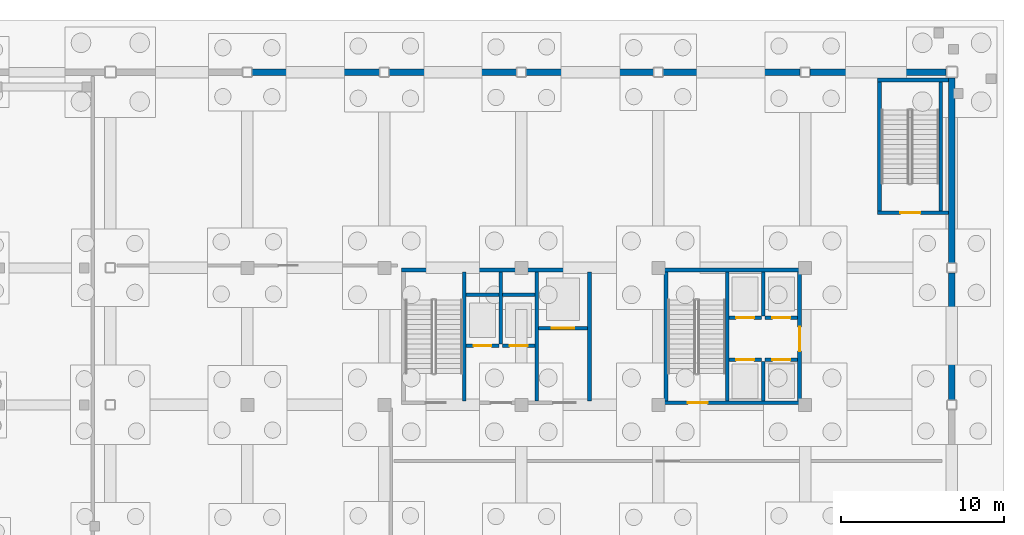
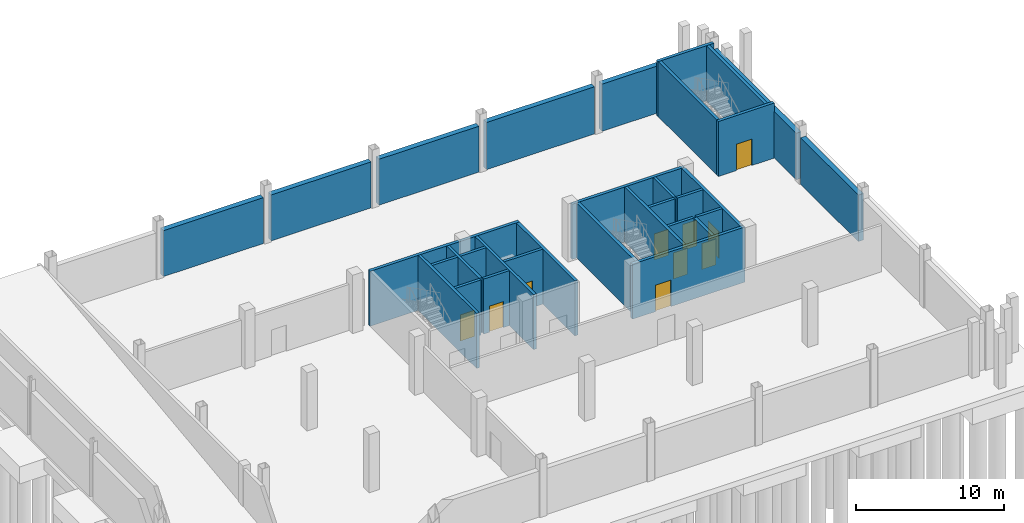
# One storey, part 34 of 44: 32 walls, 10 doors, 10 openings.
"""IFC4 building model written with IfcOpenShell, lengths in metres."""

from ifc_helpers import new_model, si_unit, direction, frame, frame_2d, origin, place, context, subcontext, project, spatial, rectangle, extrude, material, layer, layer_set, type_object, element, fill, save


model = new_model("IFC4")

# Units and contexts
model_context = context("Model", 3, precision=1e-05, world=origin(), true_north=direction((0.0, 1.0)))
body_context = subcontext(model_context, "Body", "Model", "MODEL_VIEW")
ifc_project = project(units=[si_unit("LENGTHUNIT", "METRE"), si_unit("AREAUNIT", "SQUARE_METRE"), si_unit("VOLUMEUNIT", "CUBIC_METRE"), si_unit("PLANEANGLEUNIT", "RADIAN"), si_unit("MASSUNIT", "GRAM", prefix="KILO")], contexts=[model_context])

# Site, building, storey
site_placement = place(None, origin())
site = spatial("IfcSite", under=ifc_project, at=site_placement, CompositionType="ELEMENT")
building_placement = place(site_placement, origin())
building = spatial("IfcBuilding", under=site, at=building_placement, Name="Yukiwa Park Conservatory and Herbarium", CompositionType="ELEMENT")
storey_placement = place(building_placement, frame((0.0, 0.0, -4.800048828125)))
storey = spatial("IfcBuildingStorey", under=building, at=storey_placement, Name="B1", CompositionType="ELEMENT", Elevation=-4.800048828125)

# Walls
ifc_material_1 = material(Name="Concrete C40", Category="concrete")
ifc_layer_1 = layer(ifc_material_1, 0.39990234375)
ifc_layer_set_1 = layer_set([ifc_layer_1], Name="Concrete C40")
wall_type_1 = type_object("IfcWallType", Name="WL-B1-RET400", PredefinedType="SOLIDWALL", material=ifc_layer_set_1)
wall_1_placement = place(storey_placement, frame((168.0, 95.10009765625, 0.0), z_axis=(0.0, 0.0, 1.0), x_axis=(0.0, 1.0, 0.0)))
element("IfcWall", 1, at=wall_1_placement, inside=storey, type_object=wall_type_1, Name="B1 exterior envelope wall 34", PredefinedType="SOLIDWALL", context=body_context, shape_type="SweptSolid", body=[
    extrude(rectangle(XDim=7.7998046875, YDim=0.39990234375, at=frame_2d((3.89990234375, 0.0))), origin(), (0.0, 0.0, 1.0), 3.840087890625),
])
wall_2_placement = place(storey_placement, frame((168.0, 103.5, 0.0), z_axis=(0.0, 0.0, 1.0), x_axis=(0.0, 1.0, 0.0)))
element("IfcWall", 2, at=wall_2_placement, inside=storey, type_object=wall_type_1, Name="B1 exterior envelope wall 35", PredefinedType="SOLIDWALL", context=body_context, shape_type="SweptSolid", body=[
    extrude(rectangle(XDim=11.35009765625, YDim=0.39990234375, at=frame_2d((5.675048828125, 0.0))), origin(), (0.0, 0.0, 1.0), 3.840087890625),
])
wall_3_placement = place(storey_placement, frame((167.64990234375, 115.199951171875, 0.0), z_axis=(0.0, 0.0, 1.0), x_axis=(-1.0, 0.0, 0.0)))
element("IfcWall", 3, at=wall_3_placement, inside=storey, type_object=wall_type_1, Name="B1 exterior envelope wall 36", PredefinedType="SOLIDWALL", context=body_context, shape_type="SweptSolid", body=[
    extrude(rectangle(XDim=8.349853515625, YDim=0.39990234375, at=frame_2d((4.1748046875, 0.0))), origin(), (0.0, 0.0, 1.0), 3.89013671875),
])
wall_4_placement = place(storey_placement, frame((158.699951171875, 115.199951171875, 0.0), z_axis=(0.0, 0.0, 1.0), x_axis=(-1.0, 0.0, 0.0)))
element("IfcWall", 4, at=wall_4_placement, inside=storey, type_object=wall_type_1, Name="B1 exterior envelope wall 37", PredefinedType="SOLIDWALL", context=body_context, shape_type="SweptSolid", body=[
    extrude(rectangle(XDim=8.39990234375, YDim=0.39990234375, at=frame_2d((4.199951171875, 0.0))), origin(), (0.0, 0.0, 1.0), 3.89013671875),
])
for number, where, z_axis, x_axis, name in (
    (5, (149.699951171875, 115.199951171875, 0.0), (0.0, 0.0, 1.0), (-1.0, 0.0, 0.0), "B1 exterior envelope wall 38"),
    (6, (141.300048828125, 115.199951171875, 0.0), (0.0, 0.0, 1.0), (-1.0, 0.0, 0.0), "B1 exterior envelope wall 39"),
):
    element("IfcWall", number, at=place(storey_placement, frame(where, z_axis=z_axis, x_axis=x_axis)), inside=storey, type_object=wall_type_1, Name=name, PredefinedType="SOLIDWALL", context=body_context, shape_type="SweptSolid", body=[
        extrude(rectangle(XDim=7.800048828125, YDim=0.39990234375, at=frame_2d((3.89990234375, 0.0))), origin(), (0.0, 0.0, 1.0), 3.7900390625),
    ])
wall_5_placement = place(storey_placement, frame((132.89990234375, 115.199951171875, 0.0), z_axis=(0.0, 0.0, 1.0), x_axis=(-1.0, 0.0, 0.0)))
element("IfcWall", 7, at=wall_5_placement, inside=storey, type_object=wall_type_1, Name="B1 exterior envelope wall 40", PredefinedType="SOLIDWALL", context=body_context, shape_type="SweptSolid", body=[
    extrude(rectangle(XDim=7.7998046875, YDim=0.39990234375, at=frame_2d((3.89990234375, 0.0))), origin(), (0.0, 0.0, 1.0), 3.7900390625),
])
ifc_material_2 = material(Name="Concrete C40", Category="concrete")
ifc_layer_2 = layer(ifc_material_2, 0.219970703125)
ifc_layer_set_2 = layer_set([ifc_layer_2], Name="Concrete C40")
wall_type_2 = type_object("IfcWallType", Name="WL-CORE-RC220", PredefinedType="SHEAR", material=ifc_layer_set_2)
wall_6_placement = place(storey_placement, frame((138.110107421875, 95.050048828125, 0.0), z_axis=(0.0, 0.0, 1.0), x_axis=(0.0, 1.0, 0.0)))
element("IfcWall", 8, at=wall_6_placement, inside=storey, type_object=wall_type_2, Name="B1 core shear wall 4", PredefinedType="SHEAR", context=body_context, shape_type="SweptSolid", body=[
    extrude(rectangle(XDim=7.89990234375, YDim=0.219970703125, at=frame_2d((3.949951171875, 0.0))), origin(), (0.0, 0.0, 1.0), 4.5400390625),
])
wall_7_placement = place(storey_placement, frame((140.330078125, 98.5400390625, 0.0), z_axis=(0.0, 0.0, 1.0), x_axis=(0.0, 1.0, 0.0)))
element("IfcWall", 9, at=wall_7_placement, inside=storey, type_object=wall_type_2, Name="B1 core shear wall 5", PredefinedType="SHEAR", context=body_context, shape_type="SweptSolid", body=[
    extrude(rectangle(XDim=4.409912109375, YDim=0.219970703125, at=frame_2d((2.205078125, 0.0))), origin(), (0.0, 0.0, 1.0), 4.5400390625),
])
wall_8_placement = place(storey_placement, frame((142.550048828125, 95.050048828125, 0.0), z_axis=(0.0, 0.0, 1.0), x_axis=(0.0, 1.0, 0.0)))
element("IfcWall", 10, at=wall_8_placement, inside=storey, type_object=wall_type_2, Name="B1 core shear wall 6", PredefinedType="SHEAR", context=body_context, shape_type="SweptSolid", body=[
    extrude(rectangle(XDim=7.89990234375, YDim=0.219970703125, at=frame_2d((3.949951171875, 0.0))), origin(), (0.0, 0.0, 1.0), 4.5400390625),
])

# Wall, opening, door
wall_9_placement = place(storey_placement, frame((138.219970703125, 98.429931640625, 0.0), z_axis=(0.0, 0.0, 1.0), x_axis=(1.0, 0.0, 0.0)))
wall_9 = element("IfcWall", 11, at=wall_9_placement, inside=storey, type_object=wall_type_2, Name="B1 core shear wall 8", PredefinedType="SHEAR", context=body_context, shape_type="SweptSolid", body=[
    extrude(rectangle(XDim=2.0, YDim=0.219970703125, at=frame_2d((1.0, 0.0))), origin(), (0.0, 0.0, 1.0), 4.5400390625),
])
opening_1_placement = place(wall_9_placement, frame((0.449951171875, 0.0, 0.0)))
opening_1 = element("IfcOpeningElement", 12, at=opening_1_placement, cuts=wall_9, Name="Opening LD-01", PredefinedType="OPENING", context=body_context, shape_type="SweptSolid", body=[
    extrude(rectangle(XDim=1.10009765625, YDim=2.14990234375, at=frame_2d((0.550048828125, 1.074951171875))), frame((0.0, 0.1201171875, 0.0), z_axis=(0.0, -1.0, 0.0), x_axis=(1.0, 0.0, 0.0)), (0.0, 0.0, 1.0), 0.239990234375),
])
ifc_material_3 = material(Name="Steel Q235B", Category="steel")
door_type_1 = type_object("IfcDoorType", Name="DR-LIFT-LD1100", OperationType="SLIDING_TO_LEFT", PredefinedType="DOOR", material=ifc_material_3)
door_1_placement = place(opening_1_placement, origin())
door_1 = element("IfcDoor", 13, at=door_1_placement, inside=storey, type_object=door_type_1, Name="B1 Firefighting Lift FL1 sliding landing door", OperationType="SLIDING_TO_LEFT", OverallHeight=2.14990234375, OverallWidth=1.10009765625, PredefinedType="DOOR", context=body_context, shape_type="SweptSolid", body=[
    extrude(rectangle(XDim=1.10009765625, YDim=2.14990234375, at=frame_2d((0.550048828125, 1.074951171875))), frame((0.0, 0.02490234375, 0.0), z_axis=(0.0, -1.0, 0.0), x_axis=(1.0, 0.0, 0.0)), (0.0, 0.0, 1.0), 0.050048828125),
])
fill(opening_1, door_1)

wall_10_placement = place(storey_placement, frame((140.43994140625, 98.429931640625, 0.0), z_axis=(0.0, 0.0, 1.0), x_axis=(1.0, 0.0, 0.0)))
wall_10 = element("IfcWall", 14, at=wall_10_placement, inside=storey, type_object=wall_type_2, Name="B1 core shear wall 9", PredefinedType="SHEAR", context=body_context, shape_type="SweptSolid", body=[
    extrude(rectangle(XDim=2.0, YDim=0.219970703125, at=frame_2d((1.0, 0.0))), origin(), (0.0, 0.0, 1.0), 4.5400390625),
])
opening_2_placement = place(wall_10_placement, frame((0.449951171875, 0.0, 0.0)))
opening_2 = element("IfcOpeningElement", 15, at=opening_2_placement, cuts=wall_10, Name="Opening LD-01", PredefinedType="OPENING", context=body_context, shape_type="SweptSolid", body=[
    extrude(rectangle(XDim=1.10009765625, YDim=2.14990234375, at=frame_2d((0.550048828125, 1.074951171875))), frame((0.0, 0.1201171875, 0.0), z_axis=(0.0, -1.0, 0.0), x_axis=(1.0, 0.0, 0.0)), (0.0, 0.0, 1.0), 0.239990234375),
])
door_2_placement = place(opening_2_placement, origin())
door_2 = element("IfcDoor", 16, at=door_2_placement, inside=storey, type_object=door_type_1, Name="B1 Firefighting Lift FL2 sliding landing door", OperationType="SLIDING_TO_LEFT", OverallHeight=2.14990234375, OverallWidth=1.10009765625, PredefinedType="DOOR", context=body_context, shape_type="SweptSolid", body=[
    extrude(rectangle(XDim=1.10009765625, YDim=2.14990234375, at=frame_2d((0.550048828125, 1.074951171875))), frame((0.0, 0.02490234375, 0.0), z_axis=(0.0, -1.0, 0.0), x_axis=(1.0, 0.0, 0.0)), (0.0, 0.0, 1.0), 0.050048828125),
])
fill(opening_2, door_2)

# Walls
for number, where, z_axis, x_axis, name in (
    (17, (138.219970703125, 101.550048828125, 0.0), (0.0, 0.0, 1.0), (1.0, 0.0, 0.0), "B1 core shear wall 10"),
    (18, (140.43994140625, 101.550048828125, 0.0), (0.0, 0.0, 1.0), (1.0, 0.0, 0.0), "B1 core shear wall 11"),
):
    element("IfcWall", number, at=place(storey_placement, frame(where, z_axis=z_axis, x_axis=x_axis)), inside=storey, type_object=wall_type_2, Name=name, PredefinedType="SHEAR", context=body_context, shape_type="SweptSolid", body=[
        extrude(rectangle(XDim=2.0, YDim=0.219970703125, at=frame_2d((1.0, 0.0))), origin(), (0.0, 0.0, 1.0), 4.5400390625),
    ])

# Wall, opening, door
wall_11_placement = place(storey_placement, frame((142.659912109375, 99.489990234375, 0.0), z_axis=(0.0, 0.0, 1.0), x_axis=(1.0, 0.0, 0.0)))
wall_11 = element("IfcWall", 19, at=wall_11_placement, inside=storey, type_object=wall_type_2, Name="B1 core shear wall 12", PredefinedType="SHEAR", context=body_context, shape_type="SweptSolid", body=[
    extrude(rectangle(XDim=3.0, YDim=0.219970703125, at=frame_2d((1.5, 0.0))), origin(), (0.0, 0.0, 1.0), 4.5400390625),
])
opening_3_placement = place(wall_11_placement, frame((0.800048828125, 0.0, 0.0)))
opening_3 = element("IfcOpeningElement", 20, at=opening_3_placement, cuts=wall_11, Name="Opening LD-02", PredefinedType="OPENING", context=body_context, shape_type="SweptSolid", body=[
    extrude(rectangle(XDim=1.39990234375, YDim=2.199951171875, at=frame_2d((0.699951171875, 1.10009765625))), frame((0.0, 0.1201171875, 0.0), z_axis=(0.0, -1.0, 0.0), x_axis=(1.0, 0.0, 0.0)), (0.0, 0.0, 1.0), 0.239990234375),
])
ifc_material_4 = material(Name="Steel Q235B", Category="steel")
door_type_2 = type_object("IfcDoorType", Name="DR-LIFT-LD1400", OperationType="SLIDING_TO_LEFT", PredefinedType="DOOR", material=ifc_material_4)
door_3_placement = place(opening_3_placement, origin())
door_3 = element("IfcDoor", 21, at=door_3_placement, inside=storey, type_object=door_type_2, Name="B1 Goods Lift GL1 sliding landing door", OperationType="SLIDING_TO_LEFT", OverallHeight=2.199951171875, OverallWidth=1.39990234375, PredefinedType="DOOR", context=body_context, shape_type="SweptSolid", body=[
    extrude(rectangle(XDim=1.39990234375, YDim=2.199951171875, at=frame_2d((0.699951171875, 1.10009765625))), frame((0.0, 0.02490234375, 0.0), z_axis=(0.0, -1.0, 0.0), x_axis=(1.0, 0.0, 0.0)), (0.0, 0.0, 1.0), 0.050048828125),
])
fill(opening_3, door_3)

# Walls
wall_12_placement = place(storey_placement, frame((154.219970703125, 95.050048828125, 0.0), z_axis=(0.0, 0.0, 1.0), x_axis=(0.0, 1.0, 0.0)))
element("IfcWall", 22, at=wall_12_placement, inside=storey, type_object=wall_type_2, Name="B1 core shear wall 16", PredefinedType="SHEAR", context=body_context, shape_type="SweptSolid", body=[
    extrude(rectangle(XDim=7.89990234375, YDim=0.219970703125, at=frame_2d((3.949951171875, 0.0))), origin(), (0.0, 0.0, 1.0), 4.5400390625),
])
wall_13_placement = place(storey_placement, frame((156.43994140625, 100.25, 0.0), z_axis=(0.0, 0.0, 1.0), x_axis=(0.0, 1.0, 0.0)))
element("IfcWall", 23, at=wall_13_placement, inside=storey, type_object=wall_type_2, Name="B1 core shear wall 18", PredefinedType="SHEAR", context=body_context, shape_type="SweptSolid", body=[
    extrude(rectangle(XDim=2.699951171875, YDim=0.219970703125, at=frame_2d((1.35009765625, 0.0))), origin(), (0.0, 0.0, 1.0), 4.5400390625),
])

# Wall, opening, door
wall_14_placement = place(storey_placement, frame((154.330078125, 100.139892578125, 0.0), z_axis=(0.0, 0.0, 1.0), x_axis=(1.0, 0.0, 0.0)))
wall_14 = element("IfcWall", 24, at=wall_14_placement, inside=storey, type_object=wall_type_2, Name="B1 core shear wall 19", PredefinedType="SHEAR", context=body_context, shape_type="SweptSolid", body=[
    extrude(rectangle(XDim=2.0, YDim=0.219970703125, at=frame_2d((1.0, 0.0))), origin(), (0.0, 0.0, 1.0), 4.5400390625),
])
opening_4_placement = place(wall_14_placement, frame((0.449951171875, 0.0, 0.0)))
opening_4 = element("IfcOpeningElement", 25, at=opening_4_placement, cuts=wall_14, Name="Opening LD-01", PredefinedType="OPENING", context=body_context, shape_type="SweptSolid", body=[
    extrude(rectangle(XDim=1.10009765625, YDim=2.14990234375, at=frame_2d((0.550048828125, 1.074951171875))), frame((0.0, 0.1201171875, 0.0), z_axis=(0.0, -1.0, 0.0), x_axis=(1.0, 0.0, 0.0)), (0.0, 0.0, 1.0), 0.239990234375),
])
door_4_placement = place(opening_4_placement, origin())
door_4 = element("IfcDoor", 26, at=door_4_placement, inside=storey, type_object=door_type_1, Name="B1 Passenger Lift LP1 sliding landing door", OperationType="SLIDING_TO_LEFT", OverallHeight=2.14990234375, OverallWidth=1.10009765625, PredefinedType="DOOR", context=body_context, shape_type="SweptSolid", body=[
    extrude(rectangle(XDim=1.10009765625, YDim=2.14990234375, at=frame_2d((0.550048828125, 1.074951171875))), frame((0.0, 0.02490234375, 0.0), z_axis=(0.0, -1.0, 0.0), x_axis=(1.0, 0.0, 0.0)), (0.0, 0.0, 1.0), 0.050048828125),
])
fill(opening_4, door_4)

wall_15_placement = place(storey_placement, frame((156.550048828125, 100.139892578125, 0.0), z_axis=(0.0, 0.0, 1.0), x_axis=(1.0, 0.0, 0.0)))
wall_15 = element("IfcWall", 27, at=wall_15_placement, inside=storey, type_object=wall_type_2, Name="B1 core shear wall 20", PredefinedType="SHEAR", context=body_context, shape_type="SweptSolid", body=[
    extrude(rectangle(XDim=2.0, YDim=0.219970703125, at=frame_2d((1.0, 0.0))), origin(), (0.0, 0.0, 1.0), 4.5400390625),
])
opening_5_placement = place(wall_15_placement, frame((0.449951171875, 0.0, 0.0)))
opening_5 = element("IfcOpeningElement", 28, at=opening_5_placement, cuts=wall_15, Name="Opening LD-01", PredefinedType="OPENING", context=body_context, shape_type="SweptSolid", body=[
    extrude(rectangle(XDim=1.10009765625, YDim=2.14990234375, at=frame_2d((0.550048828125, 1.074951171875))), frame((0.0, 0.1201171875, 0.0), z_axis=(0.0, -1.0, 0.0), x_axis=(1.0, 0.0, 0.0)), (0.0, 0.0, 1.0), 0.239990234375),
])
door_5_placement = place(opening_5_placement, origin())
door_5 = element("IfcDoor", 29, at=door_5_placement, inside=storey, type_object=door_type_1, Name="B1 Passenger Lift LP2 sliding landing door", OperationType="SLIDING_TO_LEFT", OverallHeight=2.14990234375, OverallWidth=1.10009765625, PredefinedType="DOOR", context=body_context, shape_type="SweptSolid", body=[
    extrude(rectangle(XDim=1.10009765625, YDim=2.14990234375, at=frame_2d((0.550048828125, 1.074951171875))), frame((0.0, 0.02490234375, 0.0), z_axis=(0.0, -1.0, 0.0), x_axis=(1.0, 0.0, 0.0)), (0.0, 0.0, 1.0), 0.050048828125),
])
fill(opening_5, door_5)

# Wall
wall_16_placement = place(storey_placement, frame((156.43994140625, 95.050048828125, 0.0), z_axis=(0.0, 0.0, 1.0), x_axis=(0.0, 1.0, 0.0)))
element("IfcWall", 30, at=wall_16_placement, inside=storey, type_object=wall_type_2, Name="B1 core shear wall 21", PredefinedType="SHEAR", context=body_context, shape_type="SweptSolid", body=[
    extrude(rectangle(XDim=2.39990234375, YDim=0.219970703125, at=frame_2d((1.199951171875, 0.0))), origin(), (0.0, 0.0, 1.0), 4.5400390625),
])

# Wall, opening, door
wall_17_placement = place(storey_placement, frame((154.330078125, 97.56005859375, 0.0), z_axis=(0.0, 0.0, 1.0), x_axis=(1.0, 0.0, 0.0)))
wall_17 = element("IfcWall", 31, at=wall_17_placement, inside=storey, type_object=wall_type_2, Name="B1 core shear wall 22", PredefinedType="SHEAR", context=body_context, shape_type="SweptSolid", body=[
    extrude(rectangle(XDim=2.0, YDim=0.219970703125, at=frame_2d((1.0, 0.0))), origin(), (0.0, 0.0, 1.0), 4.5400390625),
])
opening_6_placement = place(wall_17_placement, frame((0.449951171875, 0.0, 0.0)))
opening_6 = element("IfcOpeningElement", 32, at=opening_6_placement, cuts=wall_17, Name="Opening LD-01", PredefinedType="OPENING", context=body_context, shape_type="SweptSolid", body=[
    extrude(rectangle(XDim=1.10009765625, YDim=2.14990234375, at=frame_2d((0.550048828125, 1.074951171875))), frame((0.0, 0.1201171875, 0.0), z_axis=(0.0, -1.0, 0.0), x_axis=(1.0, 0.0, 0.0)), (0.0, 0.0, 1.0), 0.239990234375),
])
door_6_placement = place(opening_6_placement, origin())
door_6 = element("IfcDoor", 33, at=door_6_placement, inside=storey, type_object=door_type_1, Name="B1 Passenger Lift LP3 sliding landing door", OperationType="SLIDING_TO_LEFT", OverallHeight=2.14990234375, OverallWidth=1.10009765625, PredefinedType="DOOR", context=body_context, shape_type="SweptSolid", body=[
    extrude(rectangle(XDim=1.10009765625, YDim=2.14990234375, at=frame_2d((0.550048828125, 1.074951171875))), frame((0.0, 0.02490234375, 0.0), z_axis=(0.0, -1.0, 0.0), x_axis=(1.0, 0.0, 0.0)), (0.0, 0.0, 1.0), 0.050048828125),
])
fill(opening_6, door_6)

wall_18_placement = place(storey_placement, frame((156.550048828125, 97.56005859375, 0.0), z_axis=(0.0, 0.0, 1.0), x_axis=(1.0, 0.0, 0.0)))
wall_18 = element("IfcWall", 34, at=wall_18_placement, inside=storey, type_object=wall_type_2, Name="B1 core shear wall 23", PredefinedType="SHEAR", context=body_context, shape_type="SweptSolid", body=[
    extrude(rectangle(XDim=2.0, YDim=0.219970703125, at=frame_2d((1.0, 0.0))), origin(), (0.0, 0.0, 1.0), 4.5400390625),
])
opening_7_placement = place(wall_18_placement, frame((0.449951171875, 0.0, 0.0)))
opening_7 = element("IfcOpeningElement", 35, at=opening_7_placement, cuts=wall_18, Name="Opening LD-01", PredefinedType="OPENING", context=body_context, shape_type="SweptSolid", body=[
    extrude(rectangle(XDim=1.10009765625, YDim=2.14990234375, at=frame_2d((0.550048828125, 1.074951171875))), frame((0.0, 0.1201171875, 0.0), z_axis=(0.0, -1.0, 0.0), x_axis=(1.0, 0.0, 0.0)), (0.0, 0.0, 1.0), 0.239990234375),
])
door_7_placement = place(opening_7_placement, origin())
door_7 = element("IfcDoor", 36, at=door_7_placement, inside=storey, type_object=door_type_1, Name="B1 Passenger Lift LP4 sliding landing door", OperationType="SLIDING_TO_LEFT", OverallHeight=2.14990234375, OverallWidth=1.10009765625, PredefinedType="DOOR", context=body_context, shape_type="SweptSolid", body=[
    extrude(rectangle(XDim=1.10009765625, YDim=2.14990234375, at=frame_2d((0.550048828125, 1.074951171875))), frame((0.0, 0.02490234375, 0.0), z_axis=(0.0, -1.0, 0.0), x_axis=(1.0, 0.0, 0.0)), (0.0, 0.0, 1.0), 0.050048828125),
])
fill(opening_7, door_7)

# Walls
ifc_material_5 = material(Name="Concrete C50", Category="concrete")
ifc_layer_3 = layer(ifc_material_5, 0.239990234375)
ifc_layer_set_3 = layer_set([ifc_layer_3], Name="Concrete C50")
wall_type_3 = type_object("IfcWallType", Name="WL-CORE-RC240", PredefinedType="SHEAR", material=ifc_layer_set_3)
wall_19_placement = place(storey_placement, frame((134.25, 103.070068359375, 0.0), z_axis=(0.0, 0.0, 1.0), x_axis=(1.0, 0.0, 0.0)))
element("IfcWall", 37, at=wall_19_placement, inside=storey, type_object=wall_type_3, Name="B1 core shear wall 2", PredefinedType="SHEAR", context=body_context, shape_type="SweptSolid", body=[
    extrude(rectangle(XDim=11.64990234375, YDim=0.239990234375, at=frame_2d((5.824951171875, 0.0))), origin(), (0.0, 0.0, 1.0), 4.5400390625),
])
wall_20_placement = place(storey_placement, frame((145.780029296875, 95.050048828125, 0.0), z_axis=(0.0, 0.0, 1.0), x_axis=(0.0, 1.0, 0.0)))
element("IfcWall", 38, at=wall_20_placement, inside=storey, type_object=wall_type_3, Name="B1 core shear wall 7", PredefinedType="SHEAR", context=body_context, shape_type="SweptSolid", body=[
    extrude(rectangle(XDim=7.89990234375, YDim=0.239990234375, at=frame_2d((3.949951171875, 0.0))), origin(), (0.0, 0.0, 1.0), 4.5400390625),
])

# Wall, opening, door
wall_21_placement = place(storey_placement, frame((150.02001953125, 94.929931640625, 0.0), z_axis=(0.0, 0.0, 1.0), x_axis=(1.0, 0.0, 0.0)))
wall_21 = element("IfcWall", 39, at=wall_21_placement, inside=storey, type_object=wall_type_3, Name="B1 core shear wall 13", PredefinedType="SHEAR", context=body_context, shape_type="SweptSolid", body=[
    extrude(rectangle(XDim=8.77001953125, YDim=0.239990234375, at=frame_2d((4.385009765625, 0.0))), origin(), (0.0, 0.0, 1.0), 4.5400390625),
])
opening_8_placement = place(wall_21_placement, frame((1.7900390625, 0.0, 0.0)))
opening_8 = element("IfcOpeningElement", 40, at=opening_8_placement, cuts=wall_21, Name="Opening SD-01", PredefinedType="OPENING", context=body_context, shape_type="SweptSolid", body=[
    extrude(rectangle(XDim=1.219970703125, YDim=2.179931640625, at=frame_2d((0.60986328125, 1.08984375))), frame((0.0, 0.1298828125, 0.0), z_axis=(0.0, -1.0, 0.0), x_axis=(1.0, 0.0, 0.0)), (0.0, 0.0, 1.0), 0.260009765625),
])
ifc_material_6 = material(Name="Steel Q235B", Category="steel")
door_type_3 = type_object("IfcDoorType", Name="DR-STAIR-FD90-1200", OperationType="SINGLE_SWING_LEFT", PredefinedType="DOOR", material=ifc_material_6)
door_8_placement = place(opening_8_placement, origin())
door_8 = element("IfcDoor", 41, at=door_8_placement, inside=storey, type_object=door_type_3, Name="B1 Stairwell ST-T2 fire door", OperationType="SINGLE_SWING_LEFT", OverallHeight=2.179931640625, OverallWidth=1.219970703125, PredefinedType="DOOR", context=body_context, shape_type="SweptSolid", body=[
    extrude(rectangle(XDim=1.219970703125, YDim=2.179931640625, at=frame_2d((0.60986328125, 1.08984375))), frame((0.0, 0.02490234375, 0.0), z_axis=(0.0, -1.0, 0.0), x_axis=(1.0, 0.0, 0.0)), (0.0, 0.0, 1.0), 0.050048828125),
])
fill(opening_8, door_8)

# Walls
wall_22_placement = place(storey_placement, frame((150.02001953125, 103.070068359375, 0.0), z_axis=(0.0, 0.0, 1.0), x_axis=(1.0, 0.0, 0.0)))
element("IfcWall", 42, at=wall_22_placement, inside=storey, type_object=wall_type_3, Name="B1 core shear wall 14", PredefinedType="SHEAR", context=body_context, shape_type="SweptSolid", body=[
    extrude(rectangle(XDim=8.77001953125, YDim=0.239990234375, at=frame_2d((4.385009765625, 0.0))), origin(), (0.0, 0.0, 1.0), 4.5400390625),
])
wall_23_placement = place(storey_placement, frame((150.47998046875, 95.050048828125, 0.0), z_axis=(0.0, 0.0, 1.0), x_axis=(0.0, 1.0, 0.0)))
element("IfcWall", 43, at=wall_23_placement, inside=storey, type_object=wall_type_3, Name="B1 core shear wall 15", PredefinedType="SHEAR", context=body_context, shape_type="SweptSolid", body=[
    extrude(rectangle(XDim=7.89990234375, YDim=0.239990234375, at=frame_2d((3.949951171875, 0.0))), origin(), (0.0, 0.0, 1.0), 4.5400390625),
])

# Wall, opening, door
wall_24_placement = place(storey_placement, frame((158.669921875, 95.050048828125, 0.0), z_axis=(0.0, 0.0, 1.0), x_axis=(0.0, 1.0, 0.0)))
wall_24 = element("IfcWall", 44, at=wall_24_placement, inside=storey, type_object=wall_type_3, Name="B1 core shear wall 17", PredefinedType="SHEAR", context=body_context, shape_type="SweptSolid", body=[
    extrude(rectangle(XDim=7.89990234375, YDim=0.239990234375, at=frame_2d((3.949951171875, 0.0))), origin(), (0.0, 0.0, 1.0), 4.5400390625),
])
opening_9_placement = place(wall_24_placement, frame((3.050048828125, 0.0, 0.0)))
opening_9 = element("IfcOpeningElement", 45, at=opening_9_placement, cuts=wall_24, Name="Opening FD-07", PredefinedType="OPENING", context=body_context, shape_type="SweptSolid", body=[
    extrude(rectangle(XDim=1.47998046875, YDim=2.219970703125, at=frame_2d((0.739990234375, 1.10986328125))), frame((0.0, 0.1298828125, 0.0), z_axis=(0.0, -1.0, 0.0), x_axis=(1.0, 0.0, 0.0)), (0.0, 0.0, 1.0), 0.260009765625),
])
ifc_material_7 = material(Name="Steel Q235B", Category="steel")
door_type_4 = type_object("IfcDoorType", Name="DR-FIRE-FD60-1500", OperationType="DOUBLE_DOOR_SINGLE_SWING", PredefinedType="DOOR", material=ifc_material_7)
door_9_placement = place(opening_9_placement, origin())
door_9 = element("IfcDoor", 46, at=door_9_placement, inside=storey, type_object=door_type_4, Name="B1 Tower Passenger Lift Lobby double fire door", OperationType="DOUBLE_DOOR_SINGLE_SWING", OverallHeight=2.219970703125, OverallWidth=1.47998046875, PredefinedType="DOOR", context=body_context, shape_type="SweptSolid", body=[
    extrude(rectangle(XDim=1.47998046875, YDim=2.219970703125, at=frame_2d((0.739990234375, 1.10986328125))), frame((0.0, 0.02490234375, 0.0), z_axis=(0.0, -1.0, 0.0), x_axis=(1.0, 0.0, 0.0)), (0.0, 0.0, 1.0), 0.050048828125),
])
fill(opening_9, door_9)

wall_25_placement = place(storey_placement, frame((163.449951171875, 106.580078125, 0.0), z_axis=(0.0, 0.0, 1.0), x_axis=(1.0, 0.0, 0.0)))
wall_25 = element("IfcWall", 47, at=wall_25_placement, inside=storey, type_object=wall_type_3, Name="B1 core shear wall 32", PredefinedType="SHEAR", context=body_context, shape_type="SweptSolid", body=[
    extrude(rectangle(XDim=4.360107421875, YDim=0.239990234375, at=frame_2d((2.18017578125, 0.0))), origin(), (0.0, 0.0, 1.0), 4.5400390625),
])
opening_10_placement = place(wall_25_placement, frame((1.39501953125, 0.0, 0.0)))
opening_10 = element("IfcOpeningElement", 48, at=opening_10_placement, cuts=wall_25, Name="Opening SD-01", PredefinedType="OPENING", context=body_context, shape_type="SweptSolid", body=[
    extrude(rectangle(XDim=1.219970703125, YDim=2.179931640625, at=frame_2d((0.60986328125, 1.08984375))), frame((0.0, 0.1298828125, 0.0), z_axis=(0.0, -1.0, 0.0), x_axis=(1.0, 0.0, 0.0)), (0.0, 0.0, 1.0), 0.260009765625),
])
door_10_placement = place(opening_10_placement, origin())
door_10 = element("IfcDoor", 49, at=door_10_placement, inside=storey, type_object=door_type_3, Name="B1 Stairwell ST-T3 fire door", OperationType="SINGLE_SWING_LEFT", OverallHeight=2.179931640625, OverallWidth=1.219970703125, PredefinedType="DOOR", context=body_context, shape_type="SweptSolid", body=[
    extrude(rectangle(XDim=1.219970703125, YDim=2.179931640625, at=frame_2d((0.60986328125, 1.08984375))), frame((0.0, 0.02490234375, 0.0), z_axis=(0.0, -1.0, 0.0), x_axis=(1.0, 0.0, 0.0)), (0.0, 0.0, 1.0), 0.050048828125),
])
fill(opening_10, door_10)

# Walls
wall_26_placement = place(storey_placement, frame((163.449951171875, 114.719970703125, 0.0), z_axis=(0.0, 0.0, 1.0), x_axis=(1.0, 0.0, 0.0)))
element("IfcWall", 50, at=wall_26_placement, inside=storey, type_object=wall_type_3, Name="B1 core shear wall 33", PredefinedType="SHEAR", context=body_context, shape_type="SweptSolid", body=[
    extrude(rectangle(XDim=4.360107421875, YDim=0.239990234375, at=frame_2d((2.18017578125, 0.0))), origin(), (0.0, 0.0, 1.0), 4.5400390625),
])
for number, where, z_axis, x_axis, name in (
    (51, (163.570068359375, 106.699951171875, 0.0), (0.0, 0.0, 1.0), (0.0, 1.0, 0.0), "B1 core shear wall 34"),
    (52, (167.320068359375, 106.699951171875, 0.0), (0.0, 0.0, 1.0), (0.0, 1.0, 0.0), "B1 core shear wall 35"),
):
    element("IfcWall", number, at=place(storey_placement, frame(where, z_axis=z_axis, x_axis=x_axis)), inside=storey, type_object=wall_type_3, Name=name, PredefinedType="SHEAR", context=body_context, shape_type="SweptSolid", body=[
        extrude(rectangle(XDim=7.900146484375, YDim=0.239990234375, at=frame_2d((3.9501953125, 0.0))), origin(), (0.0, 0.0, 1.0), 4.5400390625),
    ])

save(model, "model.ifc")
